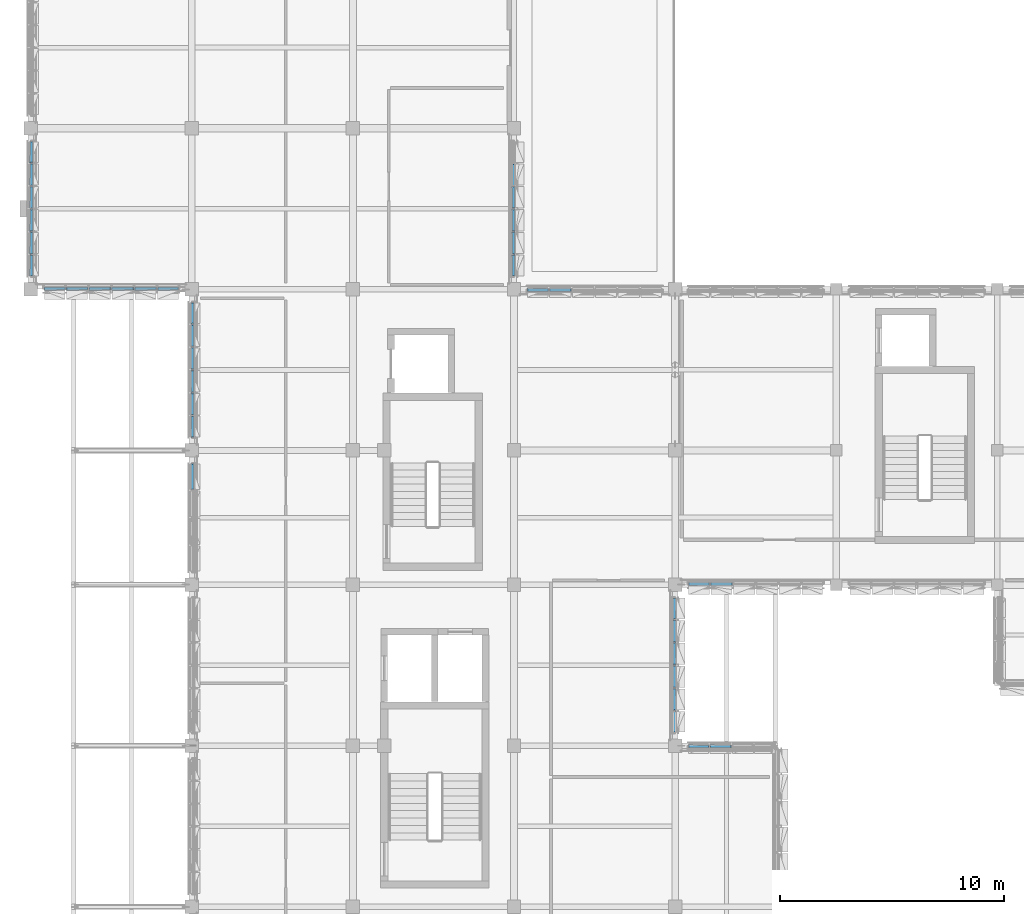
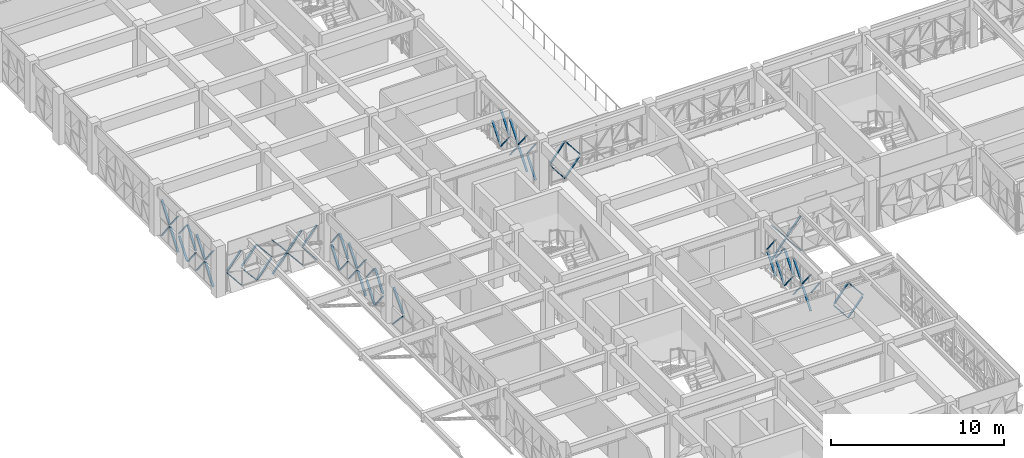
# One storey, part 59 of 99: 70 discrete accessories.
"""IFC4 building model written with IfcOpenShell, lengths in metres."""

from ifc_helpers import new_model, si_unit, direction, frame, origin, origin_2d, place, context, subcontext, project, spatial, rectangle, extrude, material, type_object, element, save


model = new_model("IFC4")

# Units and contexts
model_context = context("Model", 3, precision=1e-05, world=origin(), true_north=direction((0.0, 1.0)))
body_context = subcontext(model_context, "Body", "Model", "MODEL_VIEW")
ifc_project = project(units=[si_unit("LENGTHUNIT", "METRE"), si_unit("AREAUNIT", "SQUARE_METRE"), si_unit("VOLUMEUNIT", "CUBIC_METRE"), si_unit("PLANEANGLEUNIT", "RADIAN"), si_unit("MASSUNIT", "GRAM", prefix="KILO")], contexts=[model_context])

# Site, building, storey
site_placement = place(None, origin())
site = spatial("IfcSite", under=ifc_project, at=site_placement, CompositionType="ELEMENT")
building_placement = place(site_placement, origin())
building = spatial("IfcBuilding", under=site, at=building_placement, Name="Alvorim Cloister Faculty of Sciences", CompositionType="ELEMENT")
storey_placement = place(building_placement, frame((0.0, 0.0, 12.14990234375)))
storey = spatial("IfcBuildingStorey", under=building, at=storey_placement, Name="L03", CompositionType="ELEMENT", Elevation=12.14990234375)

# Discrete accessories
ifc_material = material(Name="Aluminium Alloy 6063-T6", Category="aluminium")
discrete_accessory_type = type_object("IfcDiscreteAccessoryType", Name="ACC-DIAG-BAR", PredefinedType="BRACKET", material=ifc_material)
discrete_accessory_1_placement = place(storey_placement, frame((7.222412109375, 47.46240234375, 1.35498046875), z_axis=(0.006026637726, 0.681892009975, -0.731428032256), x_axis=(-0.999960946179, 0.0088377665, 0.0)))
element("IfcDiscreteAccessory", 1, at=discrete_accessory_1_placement, inside=storey, type_object=discrete_accessory_type, Name="Diagonal Cassette Glazing Bracket ACC-01067", PredefinedType="BRACKET", context=body_context, shape_type="SweptSolid", body=[
    extrude(rectangle(XDim=0.139892578125, YDim=0.044921875, at=origin_2d()), origin(), (0.0, 0.0, 1.0), 1.660888671875),
])
discrete_accessory_2_placement = place(storey_placement, frame((7.222412109375, 47.46240234375, 1.4951171875), z_axis=(0.00602598982, 0.681818701864, 0.731496374041), x_axis=(-0.999960946179, 0.0088377665, 0.0)))
element("IfcDiscreteAccessory", 2, at=discrete_accessory_2_placement, inside=storey, type_object=discrete_accessory_type, Name="Diagonal Cassette Glazing Bracket ACC-01068", PredefinedType="BRACKET", context=body_context, shape_type="SweptSolid", body=[
    extrude(rectangle(XDim=0.139892578125, YDim=0.044921875, at=origin_2d()), origin(), (0.0, 0.0, 1.0), 1.6611328125),
])
discrete_accessory_3_placement = place(storey_placement, frame((7.222412109375, 49.804931640625, 1.35498046875), z_axis=(0.006561629754, 0.604790215644, -0.796357796519), x_axis=(-0.999941150118, 0.010848792579, 0.0)))
element("IfcDiscreteAccessory", 3, at=discrete_accessory_3_placement, inside=storey, type_object=discrete_accessory_type, Name="Diagonal Cassette Glazing Bracket ACC-01070", PredefinedType="BRACKET", context=body_context, shape_type="SweptSolid", body=[
    extrude(rectangle(XDim=0.139892578125, YDim=0.044921875, at=origin_2d()), origin(), (0.0, 0.0, 1.0), 1.525390625),
])
discrete_accessory_4_placement = place(storey_placement, frame((7.222412109375, 49.804931640625, 1.4951171875), z_axis=(0.006560793558, 0.604713142785, 0.796416330151), x_axis=(-0.999941150118, 0.010848792579, 0.0)))
element("IfcDiscreteAccessory", 4, at=discrete_accessory_4_placement, inside=storey, type_object=discrete_accessory_type, Name="Diagonal Cassette Glazing Bracket ACC-01071", PredefinedType="BRACKET", context=body_context, shape_type="SweptSolid", body=[
    extrude(rectangle(XDim=0.139892578125, YDim=0.044921875, at=origin_2d()), origin(), (0.0, 0.0, 1.0), 1.525634765625),
])
discrete_accessory_5_placement = place(storey_placement, frame((7.222412109375, 50.79248046875, 0.14013671875), z_axis=(0.00647732753, 0.618031836495, 0.786126385072), x_axis=(-0.999945083323, 0.010479997039, 0.0)))
element("IfcDiscreteAccessory", 5, at=discrete_accessory_5_placement, inside=storey, type_object=discrete_accessory_type, Name="Diagonal Cassette Glazing Bracket ACC-01072", PredefinedType="BRACKET", context=body_context, shape_type="SweptSolid", body=[
    extrude(rectangle(XDim=0.139892578125, YDim=0.044921875, at=origin_2d()), origin(), (0.0, 0.0, 1.0), 1.54541015625),
])
discrete_accessory_6_placement = place(storey_placement, frame((7.222412109375, 50.79248046875, 2.710205078125), z_axis=(0.006476523147, 0.617955086572, -0.786186724404), x_axis=(-0.999945083323, 0.010479997039, 0.0)))
element("IfcDiscreteAccessory", 6, at=discrete_accessory_6_placement, inside=storey, type_object=discrete_accessory_type, Name="Diagonal Cassette Glazing Bracket ACC-01073", PredefinedType="BRACKET", context=body_context, shape_type="SweptSolid", body=[
    extrude(rectangle(XDim=0.139892578125, YDim=0.044921875, at=origin_2d()), origin(), (0.0, 0.0, 1.0), 1.545654296875),
])
discrete_accessory_7_placement = place(storey_placement, frame((7.222412109375, 51.8125, 0.14013671875), z_axis=(0.00647732753, 0.618031836495, 0.786126385072), x_axis=(-0.999945083323, 0.010479997039, 0.0)))
element("IfcDiscreteAccessory", 7, at=discrete_accessory_7_placement, inside=storey, type_object=discrete_accessory_type, Name="Diagonal Cassette Glazing Bracket ACC-01074", PredefinedType="BRACKET", context=body_context, shape_type="SweptSolid", body=[
    extrude(rectangle(XDim=0.139892578125, YDim=0.044921875, at=origin_2d()), origin(), (0.0, 0.0, 1.0), 1.54541015625),
])
discrete_accessory_8_placement = place(storey_placement, frame((7.222412109375, 51.8125, 2.710205078125), z_axis=(0.006476523147, 0.617955086572, -0.786186724404), x_axis=(-0.999945083323, 0.010479997039, 0.0)))
element("IfcDiscreteAccessory", 8, at=discrete_accessory_8_placement, inside=storey, type_object=discrete_accessory_type, Name="Diagonal Cassette Glazing Bracket ACC-01075", PredefinedType="BRACKET", context=body_context, shape_type="SweptSolid", body=[
    extrude(rectangle(XDim=0.139892578125, YDim=0.044921875, at=origin_2d()), origin(), (0.0, 0.0, 1.0), 1.545654296875),
])
discrete_accessory_9_placement = place(storey_placement, frame((7.222412109375, 52.83251953125, 1.35498046875), z_axis=(0.00647732753, 0.618031836495, -0.786126385072), x_axis=(-0.999945083323, 0.010479997039, 0.0)))
element("IfcDiscreteAccessory", 9, at=discrete_accessory_9_placement, inside=storey, type_object=discrete_accessory_type, Name="Diagonal Cassette Glazing Bracket ACC-01076", PredefinedType="BRACKET", context=body_context, shape_type="SweptSolid", body=[
    extrude(rectangle(XDim=0.139892578125, YDim=0.044921875, at=origin_2d()), origin(), (0.0, 0.0, 1.0), 1.54541015625),
])
discrete_accessory_10_placement = place(storey_placement, frame((7.222412109375, 52.83251953125, 1.4951171875), z_axis=(0.006476523147, 0.617955086572, 0.786186724404), x_axis=(-0.999945083323, 0.010479997039, 0.0)))
element("IfcDiscreteAccessory", 10, at=discrete_accessory_10_placement, inside=storey, type_object=discrete_accessory_type, Name="Diagonal Cassette Glazing Bracket ACC-01077", PredefinedType="BRACKET", context=body_context, shape_type="SweptSolid", body=[
    extrude(rectangle(XDim=0.139892578125, YDim=0.044921875, at=origin_2d()), origin(), (0.0, 0.0, 1.0), 1.545654296875),
])
discrete_accessory_11_placement = place(storey_placement, frame((7.222412109375, 53.8525390625, 1.35498046875), z_axis=(0.00647732753, 0.618031836495, -0.786126385072), x_axis=(-0.999945083323, 0.010479997039, 0.0)))
element("IfcDiscreteAccessory", 11, at=discrete_accessory_11_placement, inside=storey, type_object=discrete_accessory_type, Name="Diagonal Cassette Glazing Bracket ACC-01078", PredefinedType="BRACKET", context=body_context, shape_type="SweptSolid", body=[
    extrude(rectangle(XDim=0.139892578125, YDim=0.044921875, at=origin_2d()), origin(), (0.0, 0.0, 1.0), 1.54541015625),
])
discrete_accessory_12_placement = place(storey_placement, frame((7.222412109375, 53.8525390625, 1.4951171875), z_axis=(0.006476523147, 0.617955086572, 0.786186724404), x_axis=(-0.999945083323, 0.010479997039, 0.0)))
element("IfcDiscreteAccessory", 12, at=discrete_accessory_12_placement, inside=storey, type_object=discrete_accessory_type, Name="Diagonal Cassette Glazing Bracket ACC-01079", PredefinedType="BRACKET", context=body_context, shape_type="SweptSolid", body=[
    extrude(rectangle(XDim=0.139892578125, YDim=0.044921875, at=origin_2d()), origin(), (0.0, 0.0, 1.0), 1.545654296875),
])
discrete_accessory_13_placement = place(storey_placement, frame((7.222412109375, 54.87255859375, 0.14013671875), z_axis=(0.006562264866, 0.604688699088, 0.796434877359), x_axis=(-0.999941118963, 0.010851663811, 0.0)))
element("IfcDiscreteAccessory", 13, at=discrete_accessory_13_placement, inside=storey, type_object=discrete_accessory_type, Name="Diagonal Cassette Glazing Bracket ACC-01080", PredefinedType="BRACKET", context=body_context, shape_type="SweptSolid", body=[
    extrude(rectangle(XDim=0.139892578125, YDim=0.044921875, at=origin_2d()), origin(), (0.0, 0.0, 1.0), 1.525390625),
])
discrete_accessory_14_placement = place(storey_placement, frame((7.222412109375, 54.87255859375, 2.710205078125), z_axis=(0.006561428426, 0.604611624251, -0.796493397008), x_axis=(-0.999941118963, 0.010851663811, 0.0)))
element("IfcDiscreteAccessory", 14, at=discrete_accessory_14_placement, inside=storey, type_object=discrete_accessory_type, Name="Diagonal Cassette Glazing Bracket ACC-01081", PredefinedType="BRACKET", context=body_context, shape_type="SweptSolid", body=[
    extrude(rectangle(XDim=0.139892578125, YDim=0.044921875, at=origin_2d()), origin(), (0.0, 0.0, 1.0), 1.525634765625),
])
for number, where, z_axis, x_axis, name in (
    (15, (0.60498046875, 56.422607421875, 1.283203125), (0.628059424727, 0.006814087434, -0.778135545534), (-0.010848792579, 0.999941150118, 0.0), "Diagonal Cassette Glazing Bracket ACC-01083"),
    (16, (0.60498046875, 56.422607421875, 1.423095703125), (0.628059424727, 0.006814087434, 0.778135545534), (-0.010848792579, 0.999941150118, 0.0), "Diagonal Cassette Glazing Bracket ACC-01084"),
):
    element("IfcDiscreteAccessory", number, at=place(storey_placement, frame(where, z_axis=z_axis, x_axis=x_axis)), inside=storey, type_object=discrete_accessory_type, Name=name, PredefinedType="BRACKET", context=body_context, shape_type="SweptSolid", body=[
        extrude(rectangle(XDim=0.139892578125, YDim=0.044921875, at=origin_2d()), origin(), (0.0, 0.0, 1.0), 1.468994140625),
    ])
for number, where, z_axis, x_axis, name in (
    (17, (1.592529296875, 56.422607421875, 1.283203125), (0.641168912593, 0.006719817335, -0.767370360113), (-0.010479997039, 0.999945083323, 0.0), "Diagonal Cassette Glazing Bracket ACC-01085"),
    (18, (1.592529296875, 56.422607421875, 1.423095703125), (0.641168912593, 0.006719817335, 0.767370360113), (-0.010479997039, 0.999945083323, 0.0), "Diagonal Cassette Glazing Bracket ACC-01086"),
    (19, (2.612548828125, 56.422607421875, 0.14013671875), (0.641072377457, 0.006720523517, 0.767451002622), (-0.010482676365, 0.999945055239, 0.0), "Diagonal Cassette Glazing Bracket ACC-01087"),
    (20, (2.612548828125, 56.422607421875, 2.566162109375), (0.641072377457, 0.006720523517, -0.767451002622), (-0.010482676365, 0.999945055239, 0.0), "Diagonal Cassette Glazing Bracket ACC-01088"),
    (21, (3.632568359375, 56.422607421875, 0.14013671875), (0.641072377457, 0.006720523517, 0.767451002622), (-0.010482676365, 0.999945055239, 0.0), "Diagonal Cassette Glazing Bracket ACC-01089"),
    (22, (3.632568359375, 56.422607421875, 2.566162109375), (0.641072377457, 0.006720523517, -0.767451002622), (-0.010482676365, 0.999945055239, 0.0), "Diagonal Cassette Glazing Bracket ACC-01090"),
    (23, (4.652587890625, 56.422607421875, 1.283203125), (0.641072377457, 0.006720523517, -0.767451002622), (-0.010482676365, 0.999945055239, 0.0), "Diagonal Cassette Glazing Bracket ACC-01091"),
    (24, (4.652587890625, 56.422607421875, 1.423095703125), (0.641072377457, 0.006720523517, 0.767451002622), (-0.010482676365, 0.999945055239, 0.0), "Diagonal Cassette Glazing Bracket ACC-01092"),
):
    element("IfcDiscreteAccessory", number, at=place(storey_placement, frame(where, z_axis=z_axis, x_axis=x_axis)), inside=storey, type_object=discrete_accessory_type, Name=name, PredefinedType="BRACKET", context=body_context, shape_type="SweptSolid", body=[
        extrude(rectangle(XDim=0.139892578125, YDim=0.044921875, at=origin_2d()), origin(), (0.0, 0.0, 1.0), 1.489501953125),
    ])
for number, where, z_axis, x_axis, name in (
    (25, (5.672607421875, 56.422607421875, 1.283203125), (0.627958769657, 0.006814798718, -0.778216770655), (-0.010851663811, 0.999941118963, 0.0), "Diagonal Cassette Glazing Bracket ACC-01093"),
    (26, (5.672607421875, 56.422607421875, 1.423095703125), (0.627958769657, 0.006814798718, 0.778216770655), (-0.010851663811, 0.999941118963, 0.0), "Diagonal Cassette Glazing Bracket ACC-01094"),
):
    element("IfcDiscreteAccessory", number, at=place(storey_placement, frame(where, z_axis=z_axis, x_axis=x_axis)), inside=storey, type_object=discrete_accessory_type, Name=name, PredefinedType="BRACKET", context=body_context, shape_type="SweptSolid", body=[
        extrude(rectangle(XDim=0.139892578125, YDim=0.044921875, at=origin_2d()), origin(), (0.0, 0.0, 1.0), 1.46875),
    ])
discrete_accessory_15_placement = place(storey_placement, frame((0.0224609375, 57.0048828125, 0.14013671875), z_axis=(0.006561629754, 0.604790215644, 0.796357796519), x_axis=(-0.999941150118, 0.010848792579, 0.0)))
element("IfcDiscreteAccessory", 27, at=discrete_accessory_15_placement, inside=storey, type_object=discrete_accessory_type, Name="Diagonal Cassette Glazing Bracket ACC-01096", PredefinedType="BRACKET", context=body_context, shape_type="SweptSolid", body=[
    extrude(rectangle(XDim=0.139892578125, YDim=0.044921875, at=origin_2d()), origin(), (0.0, 0.0, 1.0), 1.525390625),
])
discrete_accessory_16_placement = place(storey_placement, frame((0.0224609375, 57.0048828125, 2.710205078125), z_axis=(0.006560793558, 0.604713142785, -0.796416330151), x_axis=(-0.999941150118, 0.010848792579, 0.0)))
element("IfcDiscreteAccessory", 28, at=discrete_accessory_16_placement, inside=storey, type_object=discrete_accessory_type, Name="Diagonal Cassette Glazing Bracket ACC-01097", PredefinedType="BRACKET", context=body_context, shape_type="SweptSolid", body=[
    extrude(rectangle(XDim=0.139892578125, YDim=0.044921875, at=origin_2d()), origin(), (0.0, 0.0, 1.0), 1.525634765625),
])
discrete_accessory_17_placement = place(storey_placement, frame((0.0224609375, 57.992431640625, 1.35498046875), z_axis=(0.00647732753, 0.618031836495, -0.786126385072), x_axis=(-0.999945083323, 0.010479997039, 0.0)))
element("IfcDiscreteAccessory", 29, at=discrete_accessory_17_placement, inside=storey, type_object=discrete_accessory_type, Name="Diagonal Cassette Glazing Bracket ACC-01098", PredefinedType="BRACKET", context=body_context, shape_type="SweptSolid", body=[
    extrude(rectangle(XDim=0.139892578125, YDim=0.044921875, at=origin_2d()), origin(), (0.0, 0.0, 1.0), 1.54541015625),
])
discrete_accessory_18_placement = place(storey_placement, frame((0.0224609375, 57.992431640625, 1.4951171875), z_axis=(0.006476523147, 0.617955086572, 0.786186724404), x_axis=(-0.999945083323, 0.010479997039, 0.0)))
element("IfcDiscreteAccessory", 30, at=discrete_accessory_18_placement, inside=storey, type_object=discrete_accessory_type, Name="Diagonal Cassette Glazing Bracket ACC-01099", PredefinedType="BRACKET", context=body_context, shape_type="SweptSolid", body=[
    extrude(rectangle(XDim=0.139892578125, YDim=0.044921875, at=origin_2d()), origin(), (0.0, 0.0, 1.0), 1.545654296875),
])
discrete_accessory_19_placement = place(storey_placement, frame((0.0224609375, 59.012451171875, 1.35498046875), z_axis=(0.00647732753, 0.618031836495, -0.786126385072), x_axis=(-0.999945083323, 0.010479997039, 0.0)))
element("IfcDiscreteAccessory", 31, at=discrete_accessory_19_placement, inside=storey, type_object=discrete_accessory_type, Name="Diagonal Cassette Glazing Bracket ACC-01100", PredefinedType="BRACKET", context=body_context, shape_type="SweptSolid", body=[
    extrude(rectangle(XDim=0.139892578125, YDim=0.044921875, at=origin_2d()), origin(), (0.0, 0.0, 1.0), 1.54541015625),
])
discrete_accessory_20_placement = place(storey_placement, frame((0.0224609375, 59.012451171875, 1.4951171875), z_axis=(0.006476523147, 0.617955086572, 0.786186724404), x_axis=(-0.999945083323, 0.010479997039, 0.0)))
element("IfcDiscreteAccessory", 32, at=discrete_accessory_20_placement, inside=storey, type_object=discrete_accessory_type, Name="Diagonal Cassette Glazing Bracket ACC-01101", PredefinedType="BRACKET", context=body_context, shape_type="SweptSolid", body=[
    extrude(rectangle(XDim=0.139892578125, YDim=0.044921875, at=origin_2d()), origin(), (0.0, 0.0, 1.0), 1.545654296875),
])
discrete_accessory_21_placement = place(storey_placement, frame((0.0224609375, 60.032470703125, 0.14013671875), z_axis=(0.00647732753, 0.618031836495, 0.786126385072), x_axis=(-0.999945083323, 0.010479997039, 0.0)))
element("IfcDiscreteAccessory", 33, at=discrete_accessory_21_placement, inside=storey, type_object=discrete_accessory_type, Name="Diagonal Cassette Glazing Bracket ACC-01102", PredefinedType="BRACKET", context=body_context, shape_type="SweptSolid", body=[
    extrude(rectangle(XDim=0.139892578125, YDim=0.044921875, at=origin_2d()), origin(), (0.0, 0.0, 1.0), 1.54541015625),
])
discrete_accessory_22_placement = place(storey_placement, frame((0.0224609375, 60.032470703125, 2.710205078125), z_axis=(0.006476523147, 0.617955086572, -0.786186724404), x_axis=(-0.999945083323, 0.010479997039, 0.0)))
element("IfcDiscreteAccessory", 34, at=discrete_accessory_22_placement, inside=storey, type_object=discrete_accessory_type, Name="Diagonal Cassette Glazing Bracket ACC-01103", PredefinedType="BRACKET", context=body_context, shape_type="SweptSolid", body=[
    extrude(rectangle(XDim=0.139892578125, YDim=0.044921875, at=origin_2d()), origin(), (0.0, 0.0, 1.0), 1.545654296875),
])
discrete_accessory_23_placement = place(storey_placement, frame((0.0224609375, 61.052490234375, 0.14013671875), z_axis=(0.00647732753, 0.618031836495, 0.786126385072), x_axis=(-0.999945083323, 0.010479997039, 0.0)))
element("IfcDiscreteAccessory", 35, at=discrete_accessory_23_placement, inside=storey, type_object=discrete_accessory_type, Name="Diagonal Cassette Glazing Bracket ACC-01104", PredefinedType="BRACKET", context=body_context, shape_type="SweptSolid", body=[
    extrude(rectangle(XDim=0.139892578125, YDim=0.044921875, at=origin_2d()), origin(), (0.0, 0.0, 1.0), 1.54541015625),
])
discrete_accessory_24_placement = place(storey_placement, frame((0.0224609375, 61.052490234375, 2.710205078125), z_axis=(0.006476523147, 0.617955086572, -0.786186724404), x_axis=(-0.999945083323, 0.010479997039, 0.0)))
element("IfcDiscreteAccessory", 36, at=discrete_accessory_24_placement, inside=storey, type_object=discrete_accessory_type, Name="Diagonal Cassette Glazing Bracket ACC-01105", PredefinedType="BRACKET", context=body_context, shape_type="SweptSolid", body=[
    extrude(rectangle(XDim=0.139892578125, YDim=0.044921875, at=origin_2d()), origin(), (0.0, 0.0, 1.0), 1.545654296875),
])
discrete_accessory_25_placement = place(storey_placement, frame((0.0224609375, 62.072509765625, 1.35498046875), z_axis=(0.006561629754, 0.604790215644, -0.796357796519), x_axis=(-0.999941150118, 0.010848792579, 0.0)))
element("IfcDiscreteAccessory", 37, at=discrete_accessory_25_placement, inside=storey, type_object=discrete_accessory_type, Name="Diagonal Cassette Glazing Bracket ACC-01106", PredefinedType="BRACKET", context=body_context, shape_type="SweptSolid", body=[
    extrude(rectangle(XDim=0.139892578125, YDim=0.044921875, at=origin_2d()), origin(), (0.0, 0.0, 1.0), 1.525390625),
])
discrete_accessory_26_placement = place(storey_placement, frame((0.0224609375, 62.072509765625, 1.4951171875), z_axis=(0.006560793558, 0.604713142785, 0.796416330151), x_axis=(-0.999941150118, 0.010848792579, 0.0)))
element("IfcDiscreteAccessory", 38, at=discrete_accessory_26_placement, inside=storey, type_object=discrete_accessory_type, Name="Diagonal Cassette Glazing Bracket ACC-01107", PredefinedType="BRACKET", context=body_context, shape_type="SweptSolid", body=[
    extrude(rectangle(XDim=0.139892578125, YDim=0.044921875, at=origin_2d()), origin(), (0.0, 0.0, 1.0), 1.525634765625),
])
discrete_accessory_27_placement = place(storey_placement, frame((21.577392578125, 57.0048828125, 0.14013671875), z_axis=(-0.006561629754, 0.604790215644, 0.796357796519), x_axis=(-0.999941150118, -0.010848792579, 0.0)))
element("IfcDiscreteAccessory", 39, at=discrete_accessory_27_placement, inside=storey, type_object=discrete_accessory_type, Name="Diagonal Cassette Glazing Bracket ACC-01305", PredefinedType="BRACKET", context=body_context, shape_type="SweptSolid", body=[
    extrude(rectangle(XDim=0.139892578125, YDim=0.044921875, at=origin_2d()), origin(), (0.0, 0.0, 1.0), 1.525390625),
])
discrete_accessory_28_placement = place(storey_placement, frame((21.577392578125, 57.0048828125, 2.710205078125), z_axis=(-0.006560793558, 0.604713142785, -0.796416330151), x_axis=(-0.999941150118, -0.010848792579, 0.0)))
element("IfcDiscreteAccessory", 40, at=discrete_accessory_28_placement, inside=storey, type_object=discrete_accessory_type, Name="Diagonal Cassette Glazing Bracket ACC-01306", PredefinedType="BRACKET", context=body_context, shape_type="SweptSolid", body=[
    extrude(rectangle(XDim=0.139892578125, YDim=0.044921875, at=origin_2d()), origin(), (0.0, 0.0, 1.0), 1.525634765625),
])
discrete_accessory_29_placement = place(storey_placement, frame((21.577392578125, 57.992431640625, 0.14013671875), z_axis=(-0.00647732753, 0.618031836495, 0.786126385072), x_axis=(-0.999945083323, -0.010479997039, 0.0)))
element("IfcDiscreteAccessory", 41, at=discrete_accessory_29_placement, inside=storey, type_object=discrete_accessory_type, Name="Diagonal Cassette Glazing Bracket ACC-01307", PredefinedType="BRACKET", context=body_context, shape_type="SweptSolid", body=[
    extrude(rectangle(XDim=0.139892578125, YDim=0.044921875, at=origin_2d()), origin(), (0.0, 0.0, 1.0), 1.54541015625),
])
discrete_accessory_30_placement = place(storey_placement, frame((21.577392578125, 57.992431640625, 2.710205078125), z_axis=(-0.006476523147, 0.617955086572, -0.786186724404), x_axis=(-0.999945083323, -0.010479997039, 0.0)))
element("IfcDiscreteAccessory", 42, at=discrete_accessory_30_placement, inside=storey, type_object=discrete_accessory_type, Name="Diagonal Cassette Glazing Bracket ACC-01308", PredefinedType="BRACKET", context=body_context, shape_type="SweptSolid", body=[
    extrude(rectangle(XDim=0.139892578125, YDim=0.044921875, at=origin_2d()), origin(), (0.0, 0.0, 1.0), 1.545654296875),
])
discrete_accessory_31_placement = place(storey_placement, frame((21.577392578125, 59.012451171875, 1.35498046875), z_axis=(-0.00647732753, 0.618031836495, -0.786126385072), x_axis=(-0.999945083323, -0.010479997039, 0.0)))
element("IfcDiscreteAccessory", 43, at=discrete_accessory_31_placement, inside=storey, type_object=discrete_accessory_type, Name="Diagonal Cassette Glazing Bracket ACC-01309", PredefinedType="BRACKET", context=body_context, shape_type="SweptSolid", body=[
    extrude(rectangle(XDim=0.139892578125, YDim=0.044921875, at=origin_2d()), origin(), (0.0, 0.0, 1.0), 1.54541015625),
])
discrete_accessory_32_placement = place(storey_placement, frame((21.577392578125, 59.012451171875, 1.4951171875), z_axis=(-0.006476523147, 0.617955086572, 0.786186724404), x_axis=(-0.999945083323, -0.010479997039, 0.0)))
element("IfcDiscreteAccessory", 44, at=discrete_accessory_32_placement, inside=storey, type_object=discrete_accessory_type, Name="Diagonal Cassette Glazing Bracket ACC-01310", PredefinedType="BRACKET", context=body_context, shape_type="SweptSolid", body=[
    extrude(rectangle(XDim=0.139892578125, YDim=0.044921875, at=origin_2d()), origin(), (0.0, 0.0, 1.0), 1.545654296875),
])
discrete_accessory_33_placement = place(storey_placement, frame((21.577392578125, 60.032470703125, 1.35498046875), z_axis=(-0.00647732753, 0.618031836495, -0.786126385072), x_axis=(-0.999945083323, -0.010479997039, 0.0)))
element("IfcDiscreteAccessory", 45, at=discrete_accessory_33_placement, inside=storey, type_object=discrete_accessory_type, Name="Diagonal Cassette Glazing Bracket ACC-01311", PredefinedType="BRACKET", context=body_context, shape_type="SweptSolid", body=[
    extrude(rectangle(XDim=0.139892578125, YDim=0.044921875, at=origin_2d()), origin(), (0.0, 0.0, 1.0), 1.54541015625),
])
discrete_accessory_34_placement = place(storey_placement, frame((21.577392578125, 60.032470703125, 1.4951171875), z_axis=(-0.006476523147, 0.617955086572, 0.786186724404), x_axis=(-0.999945083323, -0.010479997039, 0.0)))
element("IfcDiscreteAccessory", 46, at=discrete_accessory_34_placement, inside=storey, type_object=discrete_accessory_type, Name="Diagonal Cassette Glazing Bracket ACC-01312", PredefinedType="BRACKET", context=body_context, shape_type="SweptSolid", body=[
    extrude(rectangle(XDim=0.139892578125, YDim=0.044921875, at=origin_2d()), origin(), (0.0, 0.0, 1.0), 1.545654296875),
])
discrete_accessory_35_placement = place(storey_placement, frame((21.577392578125, 61.052490234375, 0.14013671875), z_axis=(-0.00647732753, 0.618031836495, 0.786126385072), x_axis=(-0.999945083323, -0.010479997039, 0.0)))
element("IfcDiscreteAccessory", 47, at=discrete_accessory_35_placement, inside=storey, type_object=discrete_accessory_type, Name="Diagonal Cassette Glazing Bracket ACC-01313", PredefinedType="BRACKET", context=body_context, shape_type="SweptSolid", body=[
    extrude(rectangle(XDim=0.139892578125, YDim=0.044921875, at=origin_2d()), origin(), (0.0, 0.0, 1.0), 1.54541015625),
])
discrete_accessory_36_placement = place(storey_placement, frame((22.205078125, 56.37744140625, 1.35498046875), z_axis=(0.604688699088, -0.006562264866, -0.796434877359), x_axis=(0.010851663811, 0.999941118963, 0.0)))
element("IfcDiscreteAccessory", 48, at=discrete_accessory_36_placement, inside=storey, type_object=discrete_accessory_type, Name="Diagonal Cassette Glazing Bracket ACC-01318", PredefinedType="BRACKET", context=body_context, shape_type="SweptSolid", body=[
    extrude(rectangle(XDim=0.139892578125, YDim=0.044921875, at=origin_2d()), origin(), (0.0, 0.0, 1.0), 1.525390625),
])
discrete_accessory_37_placement = place(storey_placement, frame((22.205078125, 56.37744140625, 1.4951171875), z_axis=(0.604611624251, -0.006561428426, 0.796493397008), x_axis=(0.010851663811, 0.999941118963, 0.0)))
element("IfcDiscreteAccessory", 49, at=discrete_accessory_37_placement, inside=storey, type_object=discrete_accessory_type, Name="Diagonal Cassette Glazing Bracket ACC-01319", PredefinedType="BRACKET", context=body_context, shape_type="SweptSolid", body=[
    extrude(rectangle(XDim=0.139892578125, YDim=0.044921875, at=origin_2d()), origin(), (0.0, 0.0, 1.0), 1.525634765625),
])
discrete_accessory_38_placement = place(storey_placement, frame((23.1923828125, 56.37744140625, 0.14013671875), z_axis=(0.618031836495, -0.00647732753, 0.786126385072), x_axis=(0.010479997039, 0.999945083323, 0.0)))
element("IfcDiscreteAccessory", 50, at=discrete_accessory_38_placement, inside=storey, type_object=discrete_accessory_type, Name="Diagonal Cassette Glazing Bracket ACC-01320", PredefinedType="BRACKET", context=body_context, shape_type="SweptSolid", body=[
    extrude(rectangle(XDim=0.139892578125, YDim=0.044921875, at=origin_2d()), origin(), (0.0, 0.0, 1.0), 1.54541015625),
])
discrete_accessory_39_placement = place(storey_placement, frame((23.1923828125, 56.37744140625, 2.710205078125), z_axis=(0.617955086572, -0.006476523147, -0.786186724404), x_axis=(0.010479997039, 0.999945083323, 0.0)))
element("IfcDiscreteAccessory", 51, at=discrete_accessory_39_placement, inside=storey, type_object=discrete_accessory_type, Name="Diagonal Cassette Glazing Bracket ACC-01321", PredefinedType="BRACKET", context=body_context, shape_type="SweptSolid", body=[
    extrude(rectangle(XDim=0.139892578125, YDim=0.044921875, at=origin_2d()), origin(), (0.0, 0.0, 1.0), 1.545654296875),
])
for number, where, z_axis, x_axis, name in (
    (52, (29.405029296875, 43.222412109375, 0.14013671875), (0.627958769657, 0.006814798718, 0.778216770655), (-0.010851663811, 0.999941118963, 0.0), "Diagonal Cassette Glazing Bracket ACC-01488"),
    (53, (29.405029296875, 43.222412109375, 2.566162109375), (0.627958769657, 0.006814798718, -0.778216770655), (-0.010851663811, 0.999941118963, 0.0), "Diagonal Cassette Glazing Bracket ACC-01489"),
):
    element("IfcDiscreteAccessory", number, at=place(storey_placement, frame(where, z_axis=z_axis, x_axis=x_axis)), inside=storey, type_object=discrete_accessory_type, Name=name, PredefinedType="BRACKET", context=body_context, shape_type="SweptSolid", body=[
        extrude(rectangle(XDim=0.139892578125, YDim=0.044921875, at=origin_2d()), origin(), (0.0, 0.0, 1.0), 1.46875),
    ])
for number, where, z_axis, x_axis, name in (
    (54, (30.392578125, 43.222412109375, 1.283203125), (0.641072377457, 0.006720523517, -0.767451002622), (-0.010482676365, 0.999945055239, 0.0), "Diagonal Cassette Glazing Bracket ACC-01490"),
    (55, (30.392578125, 43.222412109375, 1.423095703125), (0.641072377457, 0.006720523517, 0.767451002622), (-0.010482676365, 0.999945055239, 0.0), "Diagonal Cassette Glazing Bracket ACC-01491"),
):
    element("IfcDiscreteAccessory", number, at=place(storey_placement, frame(where, z_axis=z_axis, x_axis=x_axis)), inside=storey, type_object=discrete_accessory_type, Name=name, PredefinedType="BRACKET", context=body_context, shape_type="SweptSolid", body=[
        extrude(rectangle(XDim=0.139892578125, YDim=0.044921875, at=origin_2d()), origin(), (0.0, 0.0, 1.0), 1.489501953125),
    ])
discrete_accessory_40_placement = place(storey_placement, frame((28.777587890625, 36.60498046875, 2.710205078125), z_axis=(-0.006560793558, 0.604713142785, -0.796416330151), x_axis=(-0.999941150118, -0.010848792579, 0.0)))
element("IfcDiscreteAccessory", 56, at=discrete_accessory_40_placement, inside=storey, type_object=discrete_accessory_type, Name="Diagonal Cassette Glazing Bracket ACC-01502", PredefinedType="BRACKET", context=body_context, shape_type="SweptSolid", body=[
    extrude(rectangle(XDim=0.139892578125, YDim=0.044921875, at=origin_2d()), origin(), (0.0, 0.0, 1.0), 1.525634765625),
])
discrete_accessory_41_placement = place(storey_placement, frame((28.777587890625, 37.592529296875, 0.14013671875), z_axis=(-0.00647732753, 0.618031836495, 0.786126385072), x_axis=(-0.999945083323, -0.010479997039, 0.0)))
element("IfcDiscreteAccessory", 57, at=discrete_accessory_41_placement, inside=storey, type_object=discrete_accessory_type, Name="Diagonal Cassette Glazing Bracket ACC-01503", PredefinedType="BRACKET", context=body_context, shape_type="SweptSolid", body=[
    extrude(rectangle(XDim=0.139892578125, YDim=0.044921875, at=origin_2d()), origin(), (0.0, 0.0, 1.0), 1.54541015625),
])
discrete_accessory_42_placement = place(storey_placement, frame((28.777587890625, 37.592529296875, 2.710205078125), z_axis=(-0.006476523147, 0.617955086572, -0.786186724404), x_axis=(-0.999945083323, -0.010479997039, 0.0)))
element("IfcDiscreteAccessory", 58, at=discrete_accessory_42_placement, inside=storey, type_object=discrete_accessory_type, Name="Diagonal Cassette Glazing Bracket ACC-01504", PredefinedType="BRACKET", context=body_context, shape_type="SweptSolid", body=[
    extrude(rectangle(XDim=0.139892578125, YDim=0.044921875, at=origin_2d()), origin(), (0.0, 0.0, 1.0), 1.545654296875),
])
discrete_accessory_43_placement = place(storey_placement, frame((28.777587890625, 38.612548828125, 1.35498046875), z_axis=(-0.006477959981, 0.61793418254, -0.786203143012), x_axis=(-0.999945055239, -0.010482676365, 0.0)))
element("IfcDiscreteAccessory", 59, at=discrete_accessory_43_placement, inside=storey, type_object=discrete_accessory_type, Name="Diagonal Cassette Glazing Bracket ACC-01505", PredefinedType="BRACKET", context=body_context, shape_type="SweptSolid", body=[
    extrude(rectangle(XDim=0.139892578125, YDim=0.044921875, at=origin_2d()), origin(), (0.0, 0.0, 1.0), 1.545166015625),
])
discrete_accessory_44_placement = place(storey_placement, frame((28.777587890625, 38.612548828125, 1.4951171875), z_axis=(-0.006477155362, 0.61785742976, 0.786263469168), x_axis=(-0.999945055239, -0.010482676365, 0.0)))
element("IfcDiscreteAccessory", 60, at=discrete_accessory_44_placement, inside=storey, type_object=discrete_accessory_type, Name="Diagonal Cassette Glazing Bracket ACC-01506", PredefinedType="BRACKET", context=body_context, shape_type="SweptSolid", body=[
    extrude(rectangle(XDim=0.139892578125, YDim=0.044921875, at=origin_2d()), origin(), (0.0, 0.0, 1.0), 1.54541015625),
])
discrete_accessory_45_placement = place(storey_placement, frame((28.777587890625, 39.632568359375, 1.35498046875), z_axis=(-0.006477959981, 0.61793418254, -0.786203143012), x_axis=(-0.999945055239, -0.010482676365, 0.0)))
element("IfcDiscreteAccessory", 61, at=discrete_accessory_45_placement, inside=storey, type_object=discrete_accessory_type, Name="Diagonal Cassette Glazing Bracket ACC-01507", PredefinedType="BRACKET", context=body_context, shape_type="SweptSolid", body=[
    extrude(rectangle(XDim=0.139892578125, YDim=0.044921875, at=origin_2d()), origin(), (0.0, 0.0, 1.0), 1.545166015625),
])
discrete_accessory_46_placement = place(storey_placement, frame((28.777587890625, 39.632568359375, 1.4951171875), z_axis=(-0.006477155362, 0.61785742976, 0.786263469168), x_axis=(-0.999945055239, -0.010482676365, 0.0)))
element("IfcDiscreteAccessory", 62, at=discrete_accessory_46_placement, inside=storey, type_object=discrete_accessory_type, Name="Diagonal Cassette Glazing Bracket ACC-01508", PredefinedType="BRACKET", context=body_context, shape_type="SweptSolid", body=[
    extrude(rectangle(XDim=0.139892578125, YDim=0.044921875, at=origin_2d()), origin(), (0.0, 0.0, 1.0), 1.54541015625),
])
discrete_accessory_47_placement = place(storey_placement, frame((28.777587890625, 40.652587890625, 0.14013671875), z_axis=(-0.006477959981, 0.61793418254, 0.786203143012), x_axis=(-0.999945055239, -0.010482676365, 0.0)))
element("IfcDiscreteAccessory", 63, at=discrete_accessory_47_placement, inside=storey, type_object=discrete_accessory_type, Name="Diagonal Cassette Glazing Bracket ACC-01509", PredefinedType="BRACKET", context=body_context, shape_type="SweptSolid", body=[
    extrude(rectangle(XDim=0.139892578125, YDim=0.044921875, at=origin_2d()), origin(), (0.0, 0.0, 1.0), 1.545166015625),
])
discrete_accessory_48_placement = place(storey_placement, frame((28.777587890625, 40.652587890625, 2.710205078125), z_axis=(-0.006477155362, 0.61785742976, -0.786263469168), x_axis=(-0.999945055239, -0.010482676365, 0.0)))
element("IfcDiscreteAccessory", 64, at=discrete_accessory_48_placement, inside=storey, type_object=discrete_accessory_type, Name="Diagonal Cassette Glazing Bracket ACC-01510", PredefinedType="BRACKET", context=body_context, shape_type="SweptSolid", body=[
    extrude(rectangle(XDim=0.139892578125, YDim=0.044921875, at=origin_2d()), origin(), (0.0, 0.0, 1.0), 1.54541015625),
])
discrete_accessory_49_placement = place(storey_placement, frame((28.777587890625, 41.672607421875, 0.14013671875), z_axis=(-0.006562264866, 0.604688699088, 0.796434877359), x_axis=(-0.999941118963, -0.010851663811, 0.0)))
element("IfcDiscreteAccessory", 65, at=discrete_accessory_49_placement, inside=storey, type_object=discrete_accessory_type, Name="Diagonal Cassette Glazing Bracket ACC-01511", PredefinedType="BRACKET", context=body_context, shape_type="SweptSolid", body=[
    extrude(rectangle(XDim=0.139892578125, YDim=0.044921875, at=origin_2d()), origin(), (0.0, 0.0, 1.0), 1.525390625),
])
discrete_accessory_50_placement = place(storey_placement, frame((28.777587890625, 41.672607421875, 2.710205078125), z_axis=(-0.006561428426, 0.604611624251, -0.796493397008), x_axis=(-0.999941118963, -0.010851663811, 0.0)))
element("IfcDiscreteAccessory", 66, at=discrete_accessory_50_placement, inside=storey, type_object=discrete_accessory_type, Name="Diagonal Cassette Glazing Bracket ACC-01512", PredefinedType="BRACKET", context=body_context, shape_type="SweptSolid", body=[
    extrude(rectangle(XDim=0.139892578125, YDim=0.044921875, at=origin_2d()), origin(), (0.0, 0.0, 1.0), 1.525634765625),
])
for number, where, z_axis, x_axis, name in (
    (67, (29.405029296875, 35.9775390625, 1.283203125), (0.617524934404, -0.006887519671, -0.78652114877), (0.011152733966, 0.999937806329, 0.0), "Diagonal Cassette Glazing Bracket ACC-01514"),
    (68, (29.405029296875, 35.9775390625, 1.423095703125), (0.617524934404, -0.006887519671, 0.78652114877), (0.011152733966, 0.999937806329, 0.0), "Diagonal Cassette Glazing Bracket ACC-01515"),
):
    element("IfcDiscreteAccessory", number, at=place(storey_placement, frame(where, z_axis=z_axis, x_axis=x_axis)), inside=storey, type_object=discrete_accessory_type, Name=name, PredefinedType="BRACKET", context=body_context, shape_type="SweptSolid", body=[
        extrude(rectangle(XDim=0.139892578125, YDim=0.044921875, at=origin_2d()), origin(), (0.0, 0.0, 1.0), 1.453369140625),
    ])
for number, where, z_axis, x_axis, name in (
    (69, (30.367431640625, 35.9775390625, 0.14013671875), (0.631164140853, -0.006792055059, 0.775619555768), (0.010760531826, 0.999942103801, 0.0), "Diagonal Cassette Glazing Bracket ACC-01516"),
    (70, (30.367431640625, 35.9775390625, 2.566162109375), (0.631164140853, -0.006792055059, -0.775619555768), (0.010760531826, 0.999942103801, 0.0), "Diagonal Cassette Glazing Bracket ACC-01517"),
):
    element("IfcDiscreteAccessory", number, at=place(storey_placement, frame(where, z_axis=z_axis, x_axis=x_axis)), inside=storey, type_object=discrete_accessory_type, Name=name, PredefinedType="BRACKET", context=body_context, shape_type="SweptSolid", body=[
        extrude(rectangle(XDim=0.139892578125, YDim=0.044921875, at=origin_2d()), origin(), (0.0, 0.0, 1.0), 1.4736328125),
    ])

save(model, "model.ifc")
